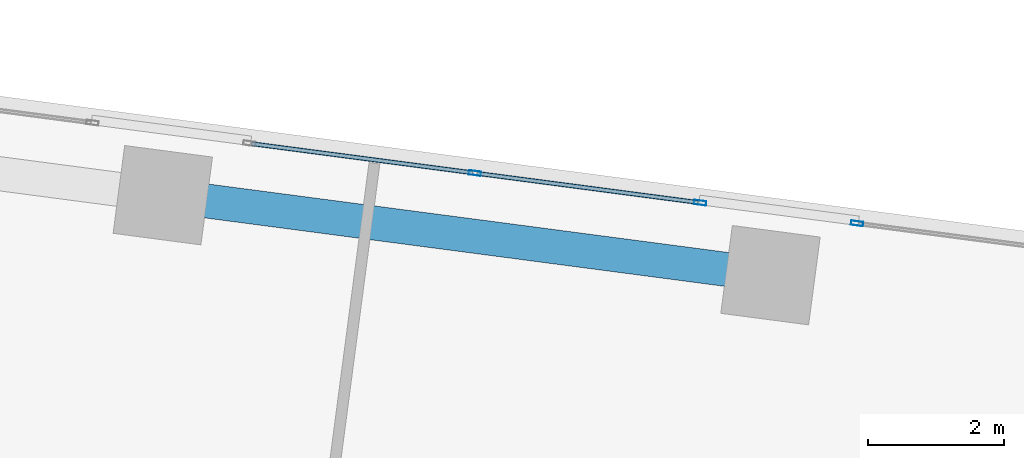
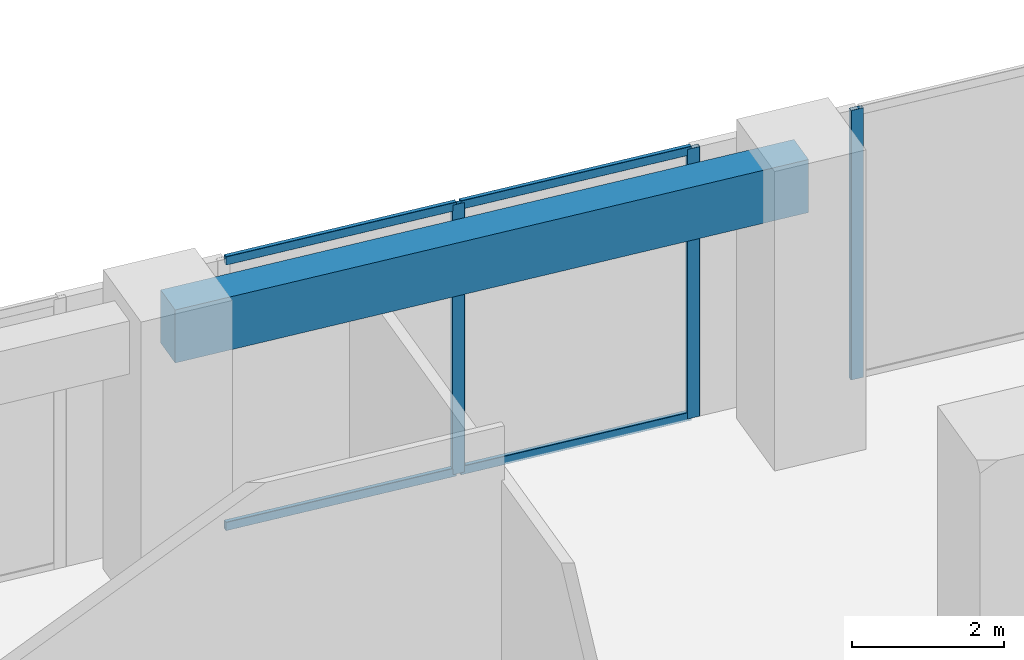
# One storey, part 17 of 24: 7 members, 1 beam, 2 elements without a shape of their own.
"""IFC4 building model written with IfcOpenShell, lengths in metres."""

import ifcopenshell
import ifcopenshell.guid

model = None  # the IFC model being written
_history = None  # IfcOwnerHistory: only IFC2X3 demands one
_inside = {}  # id of a spatial element -> (the spatial element, [elements in it])
_under = {}  # id of a project, library or spatial element -> (it, [spatial elements below it])
_declared = {}  # id of a project -> (the project, [libraries it declares])
_typed = {}  # id of a type object -> (the type object, [elements of that type])
_made_of = {}  # id of a material, layer set ... -> (it, [elements and type objects made of it])


def new_model(schema):
    """Start an empty IFC model of exactly this schema.

    Asked for "IFC4X3", IfcOpenShell would pick the latest addendum, in which some entities
    have other attributes; the version numbers below select the first issue.
    IFC2X3 requires an IfcOwnerHistory on every rooted entity: one is made here for all.
    """
    global model, _history
    if schema == "IFC4X3":
        model = ifcopenshell.file(schema_version=(4, 3, 0, 0))
    else:
        model = ifcopenshell.file(schema=schema)
    _inside.clear()
    _under.clear()
    _declared.clear()
    _typed.clear()
    _made_of.clear()
    _history = None
    if model.schema == "IFC2X3":
        org = make("IfcOrganization", Name="unknown")
        user = make(
            "IfcPersonAndOrganization",
            ThePerson=make("IfcPerson", FamilyName="unknown"),
            TheOrganization=org,
        )
        app = make(
            "IfcApplication",
            ApplicationDeveloper=org,
            Version="unknown",
            ApplicationFullName="unknown",
            ApplicationIdentifier="unknown",
        )
        _history = make(
            "IfcOwnerHistory",
            OwningUser=user,
            OwningApplication=app,
            ChangeAction="ADDED",
            CreationDate=0,
        )
    return model


def make(cls, **values):
    """One entity of the class cls with the attributes given. An attribute that is None is left unset."""
    return model.create_entity(
        cls, **{name: value for name, value in values.items() if value is not None}
    )


def rooted(cls, **values):
    """An entity with a GlobalId (a new one), such as an element, a storey or a relation."""
    return make(cls, GlobalId=ifcopenshell.guid.new(), OwnerHistory=_history, **values)


def si_unit(unit_type, name, prefix=None):
    """IfcSIUnit, for example si_unit("LENGTHUNIT", "METRE", prefix="MILLI")."""
    return make("IfcSIUnit", UnitType=unit_type, Prefix=prefix, Name=name)


def assignment(units):
    """IfcUnitAssignment: the units of a project."""
    return None if units is None else make("IfcUnitAssignment", Units=units)


def point(xyz):
    """IfcCartesianPoint."""
    return None if xyz is None else make("IfcCartesianPoint", Coordinates=xyz)


def direction(xyz):
    """IfcDirection."""
    return None if xyz is None else make("IfcDirection", DirectionRatios=xyz)


def frame(location, z_axis=None, x_axis=None):
    """IfcAxis2Placement3D, a coordinate frame: its origin and axes. An axis left out is left unset."""
    return make(
        "IfcAxis2Placement3D",
        Location=point(location),
        Axis=direction(z_axis),
        RefDirection=direction(x_axis),
    )


def frame_2d(location, x_axis=None):
    """IfcAxis2Placement2D, a coordinate frame in the plane: its origin and x axis."""
    return make(
        "IfcAxis2Placement2D", Location=point(location), RefDirection=direction(x_axis)
    )


def origin():
    """The frame at (0, 0, 0) with its axes left unset."""
    return frame((0.0, 0.0, 0.0))


def origin_2d():
    """The frame at (0, 0) in the plane with its x axis left unset."""
    return frame_2d((0.0, 0.0))


def place(relative_to, where):
    """IfcLocalPlacement: puts the frame where relative to a parent placement (None: the world)."""
    return make(
        "IfcLocalPlacement", PlacementRelTo=relative_to, RelativePlacement=where
    )


def context(
    kind, dimensions, precision=None, world=None, true_north=None, identifier=None
):
    """IfcGeometricRepresentationContext, for example the 3D "Model" context."""
    return make(
        "IfcGeometricRepresentationContext",
        ContextIdentifier=identifier,
        ContextType=kind,
        CoordinateSpaceDimension=dimensions,
        Precision=precision,
        WorldCoordinateSystem=world,
        TrueNorth=true_north,
    )


def subcontext(parent, identifier, kind, view, scale=None):
    """IfcGeometricRepresentationSubContext, for example "Body" below "Model"."""
    return make(
        "IfcGeometricRepresentationSubContext",
        ContextIdentifier=identifier,
        ContextType=kind,
        ParentContext=parent,
        TargetScale=scale,
        TargetView=view,
    )


def project(units=None, contexts=None):
    """IfcProject with its units and contexts."""
    return rooted(
        "IfcProject",
        Name="project",
        RepresentationContexts=contexts,
        UnitsInContext=assignment(units),
    )


def spatial(cls, under=None, at=None, **own):
    """A site, building, storey or space (cls), placed at a placement, below another one or the project."""
    s = rooted(cls, ObjectPlacement=at, **own)
    if under is not None:
        _under.setdefault(under.id(), (under, []))[1].append(s)
    return s


def profile(cls, at=None, kind="AREA", **sizes):
    """A parametric profile (cls). Its sizes go by their IFC names, for example OverallWidth=200.0."""
    return make(cls, ProfileType=kind, Position=at, **sizes)


def rectangle(**sizes):
    """IfcRectangleProfileDef."""
    return profile("IfcRectangleProfileDef", **sizes)


def hollow_rectangle(**sizes):
    """IfcRectangleHollowProfileDef."""
    return profile("IfcRectangleHollowProfileDef", **sizes)


def extrude(swept, where, along, depth):
    """IfcExtrudedAreaSolid: the profile swept, set in the frame where, extruded along a direction by depth."""
    return make(
        "IfcExtrudedAreaSolid",
        SweptArea=swept,
        Position=where,
        ExtrudedDirection=direction(along),
        Depth=depth,
    )


def shape(context_of_items, identifier, shape_type, items):
    """IfcShapeRepresentation: the items that make up one representation, for example the "Body"."""
    return make(
        "IfcShapeRepresentation",
        ContextOfItems=context_of_items,
        RepresentationIdentifier=identifier,
        RepresentationType=shape_type,
        Items=items,
    )


def source(mapping_origin, context_of_items, identifier, shape_type, items):
    """IfcRepresentationMap: a shape defined once, which mapped items show again and again."""
    return make(
        "IfcRepresentationMap",
        MappingOrigin=mapping_origin,
        MappedRepresentation=shape(context_of_items, identifier, shape_type, items),
    )


def transform(
    local_origin,
    x_axis=None,
    y_axis=None,
    z_axis=None,
    scale=None,
    scale2=None,
    scale3=None,
    uniform=True,
):
    """IfcCartesianTransformationOperator3D, or its non-uniform kind. x_axis, y_axis, z_axis: its Axis1, 2, 3."""
    if uniform:
        return make(
            "IfcCartesianTransformationOperator3D",
            Axis1=direction(x_axis),
            Axis2=direction(y_axis),
            LocalOrigin=point(local_origin),
            Scale=scale,
            Axis3=direction(z_axis),
        )
    return make(
        "IfcCartesianTransformationOperator3DnonUniform",
        Axis1=direction(x_axis),
        Axis2=direction(y_axis),
        LocalOrigin=point(local_origin),
        Scale=scale,
        Axis3=direction(z_axis),
        Scale2=scale2,
        Scale3=scale3,
    )


def mapped(mapping_source, mapping_target):
    """IfcMappedItem: shows the shape of a source again, moved by a transform."""
    return make(
        "IfcMappedItem", MappingSource=mapping_source, MappingTarget=mapping_target
    )


def material(Name=None, Category=None):
    """IfcMaterial."""
    return make("IfcMaterial", Name=Name, Category=Category)


def material_profile(
    of_material, cross_section, Name=None, Category=None, Priority=None
):
    """IfcMaterialProfile: a cross section and its material."""
    return make(
        "IfcMaterialProfile",
        Name=Name,
        Material=of_material,
        Profile=cross_section,
        Priority=Priority,
        Category=Category,
    )


def profile_set(profiles, Name=None, composite=None):
    """IfcMaterialProfileSet."""
    return make(
        "IfcMaterialProfileSet",
        Name=Name,
        MaterialProfiles=profiles,
        CompositeProfile=composite,
    )


def made_of(thing, what):
    """Note that an element or type object is made of a material, layer set ...; save() writes the relation."""
    if what is not None:
        _made_of.setdefault(what.id(), (what, []))[1].append(thing)
    return thing


def type_object(cls, material=None, **own):
    """A type object (cls), such as IfcWallType, which elements share."""
    return made_of(rooted(cls, **own), material)


def element(
    cls,
    number,
    at=None,
    inside=None,
    cuts=None,
    type_object=None,
    material=None,
    context=None,
    identifier="Body",
    shape_type=None,
    held_by="IfcProductDefinitionShape",
    body=None,
    shapes=None,
    **own,
):
    """One element of the class cls, such as IfcWall. Its Tag is "e" and its number.

    at: its placement. inside: the storey or other place that contains it. cuts: it is an
    opening in that element (IfcRelVoidsElement). A single representation is given by context,
    identifier, shape_type and body (its items); several are given by shapes. held_by: the class
    of the entity that holds the representations. save() writes the other relations.
    """
    e = rooted(cls, Tag="e%d" % number, ObjectPlacement=at, **own)
    if body is not None:
        shapes = [shape(context, identifier, shape_type, body)]
    if shapes is not None:
        e.Representation = make(held_by, Representations=shapes)
    if inside is not None:
        _inside.setdefault(inside.id(), (inside, []))[1].append(e)
    if cuts is not None:
        rooted(
            "IfcRelVoidsElement", RelatingBuildingElement=cuts, RelatedOpeningElement=e
        )
    if type_object is not None:
        _typed.setdefault(type_object.id(), (type_object, []))[1].append(e)
    return made_of(e, material)


def aggregate(whole, parts):
    """IfcRelAggregates: a whole, such as a stair, and the parts it consists of."""
    return rooted("IfcRelAggregates", RelatingObject=whole, RelatedObjects=parts)


def save(model, path):
    """Write the relations noted so far, then the file.

    IfcRelAggregates (storeys below a building ...), IfcRelContainedInSpatialStructure (elements
    in a storey), IfcRelDefinesByType, IfcRelAssociatesMaterial and IfcRelDeclares: one each for
    every whole, place, type object, material and project.
    """
    for whole, parts in _under.values():
        aggregate(whole, parts)
    for where, things in _inside.values():
        rooted(
            "IfcRelContainedInSpatialStructure",
            RelatedElements=things,
            RelatingStructure=where,
        )
    for kind, things in _typed.values():
        rooted("IfcRelDefinesByType", RelatedObjects=things, RelatingType=kind)
    for what, things in _made_of.values():
        rooted("IfcRelAssociatesMaterial", RelatedObjects=things, RelatingMaterial=what)
    for by, libraries in _declared.values():
        rooted("IfcRelDeclares", RelatingContext=by, RelatedDefinitions=libraries)
    model.write(path)


model = new_model("IFC4")

# Units and contexts
model_context = context("Model", 3, precision=1e-05, world=origin(), true_north=direction((0.0, 1.0)))
body_context = subcontext(model_context, "Body", "Model", "MODEL_VIEW")
ifc_project = project(units=[si_unit("LENGTHUNIT", "METRE"), si_unit("AREAUNIT", "SQUARE_METRE"), si_unit("VOLUMEUNIT", "CUBIC_METRE"), si_unit("PLANEANGLEUNIT", "RADIAN"), si_unit("MASSUNIT", "GRAM", prefix="KILO")], contexts=[model_context])

# Site, building, storey
site_placement = place(None, origin())
site = spatial("IfcSite", under=ifc_project, at=site_placement, CompositionType="ELEMENT")
building_placement = place(site_placement, origin())
building = spatial("IfcBuilding", under=site, at=building_placement, Name="Torre Montelarca", CompositionType="ELEMENT")
storey_placement = place(building_placement, frame((0.0, 0.0, 61.60009765625)))
storey = spatial("IfcBuildingStorey", under=building, at=storey_placement, Name="L13", CompositionType="ELEMENT", Elevation=61.60009765625)

# Beam
ifc_material_1 = material(Name="Concrete C55/67", Category="concrete")
ifc_material_profile_1 = material_profile(ifc_material_1, rectangle(XDim=0.5, YDim=0.85009765625, at=origin_2d()), Name="RCB500X850", Category="concrete")
ifc_profile_set_1 = profile_set([ifc_material_profile_1], Name="Concrete C55/67")
beam_type = type_object("IfcBeamType", Name="BM-SP-RC850-EXT", PredefinedType="SPANDREL", material=ifc_profile_set_1)
shared_shape_1 = source(origin(), body_context, "Body", "SweptSolid", [
    extrude(rectangle(XDim=0.5, YDim=0.85009765625, at=origin_2d()), origin(), (0.0, 0.0, 1.0), 9.0),
])
beam_placement = place(storey_placement, frame((28.930419921875, 46.302490234375, 4.135009765625), z_axis=(0.991444043898, -0.130532401413, 0.0), x_axis=(0.130532401413, 0.991444043898, 0.0)))
element("IfcBeam", 1, at=beam_placement, inside=storey, type_object=beam_type, Name="L13 Grid Girder X 27.0-36.0 at Y=47.1", PredefinedType="SPANDREL", context=body_context, shape_type="MappedRepresentation", body=[
    mapped(shared_shape_1, transform((0.0, 0.0, 0.0), scale=1.0)),
])

# Curtain wall, members
ifc_material_2 = material(Name="Insulated low-E laminated glass", Category="glass")
curtain_wall_type = type_object("IfcCurtainWallType", Name="CW-SYS-Z1", PredefinedType="USERDEFINED", material=ifc_material_2)
curtain_wall_1_placement = place(storey_placement, origin())
curtain_wall_1 = element("IfcCurtainWall", 2, at=curtain_wall_1_placement, inside=storey, type_object=curtain_wall_type, Name="L13 Curtain Wall Run CW-T3-L13-E08-B2", ObjectType="UNITISED GLAZING", PredefinedType="USERDEFINED")
ifc_material_3 = material(Name="Anodised aluminium AA 6063-T6", Category="aluminium")
ifc_material_profile_2 = material_profile(ifc_material_3, hollow_rectangle(XDim=0.06494140625, YDim=0.139892578125, WallThickness=0.00390625, InnerFilletRadius=0.00390625, OuterFilletRadius=0.008056640625, at=origin_2d()), Name="ALU65X140X4", Category="aluminium")
ifc_profile_set_2 = profile_set([ifc_material_profile_2], Name="Anodised aluminium AA 6063-T6")
member_type_1 = type_object("IfcMemberType", Name="CWT-ALU140", PredefinedType="USERDEFINED", material=ifc_profile_set_2)
shared_shape_2 = source(origin(), body_context, "Body", "SweptSolid", [
    extrude(hollow_rectangle(XDim=0.06494140625, YDim=0.139892578125, WallThickness=0.00390625, InnerFilletRadius=0.00390625, OuterFilletRadius=0.008056640625, at=origin_2d()), origin(), (0.0, 0.0, 1.0), 3.272705078125),
])
member_1_placement = place(storey_placement, frame((36.788818359375, 46.19580078125, 0.032470703125), z_axis=(-0.991441595039, 0.130551000099, 0.0), x_axis=(-0.130551000099, -0.991441595039, 0.0)))
member_1 = element("IfcMember", 3, at=member_1_placement, type_object=member_type_1, Name="CW transom 1.1", ObjectType="TRANSOM", PredefinedType="USERDEFINED", context=body_context, shape_type="MappedRepresentation", body=[
    mapped(shared_shape_2, transform((0.0, 0.0, 0.0), scale=1.0)),
])
member_2_placement = place(storey_placement, frame((36.788818359375, 46.19580078125, 4.287353515625), z_axis=(-0.991441595039, 0.130551000099, 0.0), x_axis=(-0.130551000099, -0.991441595039, 0.0)))
member_2 = element("IfcMember", 4, at=member_2_placement, type_object=member_type_1, Name="CW transom 1.2", ObjectType="TRANSOM", PredefinedType="USERDEFINED", context=body_context, shape_type="MappedRepresentation", body=[
    mapped(shared_shape_2, transform((0.0, 0.0, 0.0), scale=1.0)),
])
shared_shape_3 = source(origin(), body_context, "Body", "SweptSolid", [
    extrude(hollow_rectangle(XDim=0.06494140625, YDim=0.139892578125, WallThickness=0.00390625, InnerFilletRadius=0.00390625, OuterFilletRadius=0.008056640625, at=origin_2d()), origin(), (0.0, 0.0, 1.0), 3.2724609375),
])
member_3_placement = place(storey_placement, frame((33.479736328125, 46.631591796875, 0.032470703125), z_axis=(-0.991449978063, 0.130487321216, 0.0), x_axis=(-0.130487321216, -0.991449978063, 0.0)))
member_3 = element("IfcMember", 5, at=member_3_placement, type_object=member_type_1, Name="CW transom 2.1", ObjectType="TRANSOM", PredefinedType="USERDEFINED", context=body_context, shape_type="MappedRepresentation", body=[
    mapped(shared_shape_3, transform((0.0, 0.0, 0.0), scale=1.0)),
])
member_4_placement = place(storey_placement, frame((33.479736328125, 46.631591796875, 4.287353515625), z_axis=(-0.991449978063, 0.130487321216, 0.0), x_axis=(-0.130487321216, -0.991449978063, 0.0)))
member_4 = element("IfcMember", 6, at=member_4_placement, type_object=member_type_1, Name="CW transom 2.2", ObjectType="TRANSOM", PredefinedType="USERDEFINED", context=body_context, shape_type="MappedRepresentation", body=[
    mapped(shared_shape_3, transform((0.0, 0.0, 0.0), scale=1.0)),
])

# Curtain wall, member
curtain_wall_2_placement = place(storey_placement, origin())
curtain_wall_2 = element("IfcCurtainWall", 7, at=curtain_wall_2_placement, inside=storey, type_object=curtain_wall_type, Name="L13 Curtain Wall Run CW-T3-L13-E08-B1", ObjectType="UNITISED GLAZING", PredefinedType="USERDEFINED")
ifc_material_profile_3 = material_profile(ifc_material_3, hollow_rectangle(XDim=0.06494140625, YDim=0.179931640625, WallThickness=0.00390625, InnerFilletRadius=0.00390625, OuterFilletRadius=0.008056640625, at=origin_2d()), Name="ALU65X180X4", Category="aluminium")
ifc_profile_set_3 = profile_set([ifc_material_profile_3], Name="Anodised aluminium AA 6063-T6")
member_type_2 = type_object("IfcMemberType", Name="CWM-ALU180", PredefinedType="MULLION", material=ifc_profile_set_3)
shared_shape_4 = source(origin(), body_context, "Body", "SweptSolid", [
    extrude(hollow_rectangle(XDim=0.06494140625, YDim=0.179931640625, WallThickness=0.00390625, InnerFilletRadius=0.00390625, OuterFilletRadius=0.008056640625, at=origin_2d()), origin(), (0.0, 0.0, 1.0), 4.31982421875),
])
member_5_placement = place(storey_placement, frame((39.1259765625, 45.88818359375, 0.0), z_axis=(0.0, 0.0, 1.0), x_axis=(-0.130522739159, -0.991445315972, 0.0)))
member_5 = element("IfcMember", 8, at=member_5_placement, type_object=member_type_2, Name="CW mullion 3", PredefinedType="MULLION", context=body_context, shape_type="MappedRepresentation", body=[
    mapped(shared_shape_4, transform((0.0, 0.0, 0.0), scale=1.0)),
])
aggregate(curtain_wall_2, [member_5])

# Member
member_6_placement = place(storey_placement, frame((36.821044921875, 46.191650390625, 0.0), z_axis=(0.0, 0.0, 1.0), x_axis=(-0.130532806022, -0.991443990628, 0.0)))
member_6 = element("IfcMember", 9, at=member_6_placement, type_object=member_type_2, Name="CW mullion 1", PredefinedType="MULLION", context=body_context, shape_type="MappedRepresentation", body=[
    mapped(shared_shape_4, transform((0.0, 0.0, 0.0), scale=1.0)),
])

member_7_placement = place(storey_placement, frame((33.511962890625, 46.627197265625, 0.0), z_axis=(0.0, 0.0, 1.0), x_axis=(-0.130532806022, -0.991443990628, 0.0)))
member_7 = element("IfcMember", 10, at=member_7_placement, type_object=member_type_2, Name="CW mullion 2", PredefinedType="MULLION", context=body_context, shape_type="MappedRepresentation", body=[
    mapped(shared_shape_4, transform((0.0, 0.0, 0.0), scale=1.0)),
])

aggregate(curtain_wall_1, [member_6, member_7, member_1, member_2, member_3, member_4])

save(model, "model.ifc")
